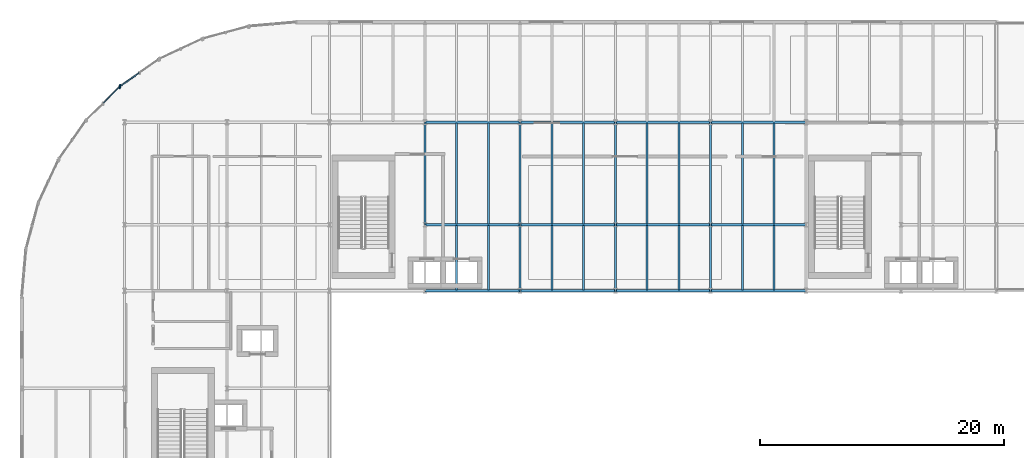
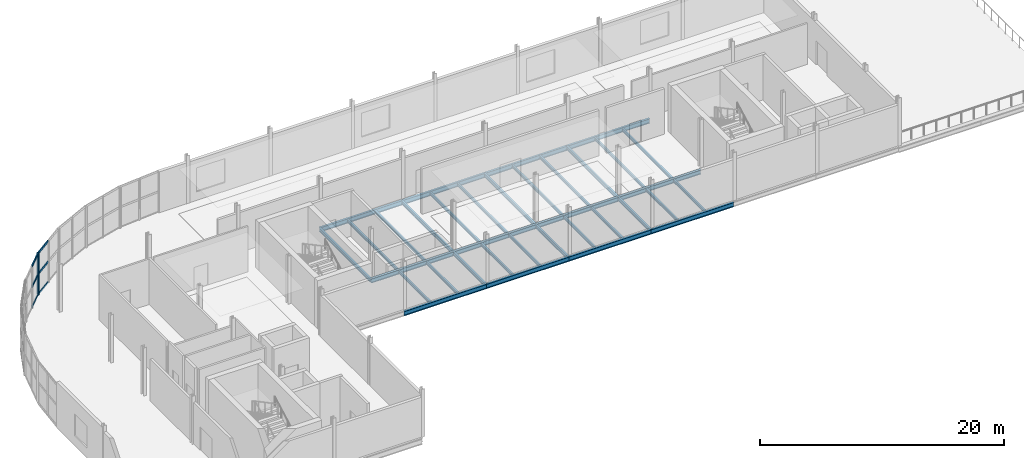
# One storey, part 6 of 15: 35 beams, 8 members, 2 elements without a shape of their own.
"""IFC4 building model written with IfcOpenShell, lengths in metres."""

from ifc_helpers import new_model, si_unit, direction, frame, origin, origin_2d, place, context, subcontext, project, spatial, rectangle, i_section, extrude, material, layer, layer_set, material_profile, profile_set, type_object, element, aggregate, save


model = new_model("IFC4")

# Units and contexts
model_context = context("Model", 3, precision=1e-05, world=origin(), true_north=direction((0.0, 1.0)))
body_context = subcontext(model_context, "Body", "Model", "MODEL_VIEW")
ifc_project = project(units=[si_unit("LENGTHUNIT", "METRE"), si_unit("AREAUNIT", "SQUARE_METRE"), si_unit("VOLUMEUNIT", "CUBIC_METRE"), si_unit("PLANEANGLEUNIT", "RADIAN"), si_unit("MASSUNIT", "GRAM", prefix="KILO")], contexts=[model_context])

# Site, building, storey
site_placement = place(None, origin())
site = spatial("IfcSite", under=ifc_project, at=site_placement, CompositionType="ELEMENT")
building_placement = place(site_placement, origin())
building = spatial("IfcBuilding", under=site, at=building_placement, Name="Sefraquen Railside Congress Hotel", CompositionType="ELEMENT")
storey_placement = place(building_placement, frame((0.0, 0.0, 46.800048828125)))
storey = spatial("IfcBuildingStorey", under=building, at=storey_placement, Name="L11", CompositionType="ELEMENT", Elevation=46.800048828125)

# Beams
ifc_material_1 = material(Name="Steel S355JR", Category="steel")
ifc_material_profile_1 = material_profile(ifc_material_1, i_section(OverallWidth=0.169921875, OverallDepth=0.360107421875, WebThickness=0.008056640625, FlangeThickness=0.0126953125, FilletRadius=0.01806640625, at=origin_2d()), Name="IPE 360")
ifc_profile_set_1 = profile_set([ifc_material_profile_1], Name="Steel S355JR")
beam_type_1 = type_object("IfcBeamType", Name="TB-BM-360", PredefinedType="BEAM", material=ifc_profile_set_1)
beam_1_placement = place(storey_placement, frame((33.0, 101.39990234375, -0.43994140625), z_axis=(0.0, 1.0, 0.0), x_axis=(-1.0, 0.0, 0.0)))
element("IfcBeam", 1, at=beam_1_placement, inside=storey, type_object=beam_type_1, Name="Floor beam BM-L11-2209", PredefinedType="BEAM", context=body_context, shape_type="SweptSolid", body=[
    extrude(i_section(OverallWidth=0.169921875, OverallDepth=0.360107421875, WebThickness=0.008056640625, FlangeThickness=0.0126953125, FilletRadius=0.01806640625, at=origin_2d()), origin(), (0.0, 0.0, 1.0), 8.400146484375),
])
beam_2_placement = place(storey_placement, frame((40.800048828125, 96.0, -0.43994140625), z_axis=(0.0, 1.0, 0.0), x_axis=(-1.0, 0.0, 0.0)))
element("IfcBeam", 2, at=beam_2_placement, inside=storey, type_object=beam_type_1, Name="Floor beam BM-L11-2211", PredefinedType="BEAM", context=body_context, shape_type="SweptSolid", body=[
    extrude(i_section(OverallWidth=0.169921875, OverallDepth=0.360107421875, WebThickness=0.008056640625, FlangeThickness=0.0126953125, FilletRadius=0.01806640625, at=origin_2d()), origin(), (0.0, 0.0, 1.0), 5.39990234375),
])
beam_3_placement = place(storey_placement, frame((40.800048828125, 101.39990234375, -0.43994140625), z_axis=(0.0, 1.0, 0.0), x_axis=(-1.0, 0.0, 0.0)))
element("IfcBeam", 3, at=beam_3_placement, inside=storey, type_object=beam_type_1, Name="Floor beam BM-L11-2212", PredefinedType="BEAM", context=body_context, shape_type="SweptSolid", body=[
    extrude(i_section(OverallWidth=0.169921875, OverallDepth=0.360107421875, WebThickness=0.008056640625, FlangeThickness=0.0126953125, FilletRadius=0.01806640625, at=origin_2d()), origin(), (0.0, 0.0, 1.0), 8.400146484375),
])
beam_4_placement = place(storey_placement, frame((48.60009765625, 96.0, -0.43994140625), z_axis=(0.0, 1.0, 0.0), x_axis=(-1.0, 0.0, 0.0)))
element("IfcBeam", 4, at=beam_4_placement, inside=storey, type_object=beam_type_1, Name="Floor beam BM-L11-2214", PredefinedType="BEAM", context=body_context, shape_type="SweptSolid", body=[
    extrude(i_section(OverallWidth=0.169921875, OverallDepth=0.360107421875, WebThickness=0.008056640625, FlangeThickness=0.0126953125, FilletRadius=0.01806640625, at=origin_2d()), origin(), (0.0, 0.0, 1.0), 5.39990234375),
])
beam_5_placement = place(storey_placement, frame((48.60009765625, 101.39990234375, -0.43994140625), z_axis=(0.0, 1.0, 0.0), x_axis=(-1.0, 0.0, 0.0)))
element("IfcBeam", 5, at=beam_5_placement, inside=storey, type_object=beam_type_1, Name="Floor beam BM-L11-2215", PredefinedType="BEAM", context=body_context, shape_type="SweptSolid", body=[
    extrude(i_section(OverallWidth=0.169921875, OverallDepth=0.360107421875, WebThickness=0.008056640625, FlangeThickness=0.0126953125, FilletRadius=0.01806640625, at=origin_2d()), origin(), (0.0, 0.0, 1.0), 8.400146484375),
])
beam_6_placement = place(storey_placement, frame((56.39990234375, 96.0, -0.43994140625), z_axis=(0.0, 1.0, 0.0), x_axis=(-1.0, 0.0, 0.0)))
element("IfcBeam", 6, at=beam_6_placement, inside=storey, type_object=beam_type_1, Name="Floor beam BM-L11-2217", PredefinedType="BEAM", context=body_context, shape_type="SweptSolid", body=[
    extrude(i_section(OverallWidth=0.169921875, OverallDepth=0.360107421875, WebThickness=0.008056640625, FlangeThickness=0.0126953125, FilletRadius=0.01806640625, at=origin_2d()), origin(), (0.0, 0.0, 1.0), 5.39990234375),
])
beam_7_placement = place(storey_placement, frame((56.39990234375, 101.39990234375, -0.43994140625), z_axis=(0.0, 1.0, 0.0), x_axis=(-1.0, 0.0, 0.0)))
element("IfcBeam", 7, at=beam_7_placement, inside=storey, type_object=beam_type_1, Name="Floor beam BM-L11-2218", PredefinedType="BEAM", context=body_context, shape_type="SweptSolid", body=[
    extrude(i_section(OverallWidth=0.169921875, OverallDepth=0.360107421875, WebThickness=0.008056640625, FlangeThickness=0.0126953125, FilletRadius=0.01806640625, at=origin_2d()), origin(), (0.0, 0.0, 1.0), 8.400146484375),
])
ifc_material_profile_2 = material_profile(ifc_material_1, i_section(OverallWidth=0.18994140625, OverallDepth=0.449951171875, WebThickness=0.009521484375, FlangeThickness=0.0146484375, FilletRadius=0.02099609375, at=origin_2d()), Name="IPE 450")
ifc_profile_set_2 = profile_set([ifc_material_profile_2], Name="Steel S355JR")
beam_type_2 = type_object("IfcBeamType", Name="TB-BM-450", PredefinedType="BEAM", material=ifc_profile_set_2)
for number, where, z_axis, x_axis, name in (
    (8, (33.0, 96.0, -0.485107421875), (1.0, 0.0, 0.0), (0.0, 1.0, 0.0), "Primary girder BM-L11-2157"),
    (9, (40.800048828125, 96.0, -0.485107421875), (1.0, 0.0, 0.0), (0.0, 1.0, 0.0), "Primary girder BM-L11-2158"),
):
    element("IfcBeam", number, at=place(storey_placement, frame(where, z_axis=z_axis, x_axis=x_axis)), inside=storey, type_object=beam_type_2, Name=name, PredefinedType="BEAM", context=body_context, shape_type="SweptSolid", body=[
        extrude(i_section(OverallWidth=0.18994140625, OverallDepth=0.449951171875, WebThickness=0.009521484375, FlangeThickness=0.0146484375, FilletRadius=0.02099609375, at=origin_2d()), origin(), (0.0, 0.0, 1.0), 7.800048828125),
    ])
beam_8_placement = place(storey_placement, frame((48.60009765625, 96.0, -0.485107421875), z_axis=(1.0, 0.0, 0.0), x_axis=(0.0, 1.0, 0.0)))
element("IfcBeam", 10, at=beam_8_placement, inside=storey, type_object=beam_type_2, Name="Primary girder BM-L11-2159", PredefinedType="BEAM", context=body_context, shape_type="SweptSolid", body=[
    extrude(i_section(OverallWidth=0.18994140625, OverallDepth=0.449951171875, WebThickness=0.009521484375, FlangeThickness=0.0146484375, FilletRadius=0.02099609375, at=origin_2d()), origin(), (0.0, 0.0, 1.0), 7.7998046875),
])
for number, where, z_axis, x_axis, name in (
    (11, (56.39990234375, 96.0, -0.485107421875), (1.0, 0.0, 0.0), (0.0, 1.0, 0.0), "Primary girder BM-L11-2160"),
    (12, (33.0, 101.39990234375, -0.485107421875), (1.0, 0.0, 0.0), (0.0, 1.0, 0.0), "Primary girder BM-L11-2167"),
    (13, (40.800048828125, 101.39990234375, -0.485107421875), (1.0, 0.0, 0.0), (0.0, 1.0, 0.0), "Primary girder BM-L11-2168"),
):
    element("IfcBeam", number, at=place(storey_placement, frame(where, z_axis=z_axis, x_axis=x_axis)), inside=storey, type_object=beam_type_2, Name=name, PredefinedType="BEAM", context=body_context, shape_type="SweptSolid", body=[
        extrude(i_section(OverallWidth=0.18994140625, OverallDepth=0.449951171875, WebThickness=0.009521484375, FlangeThickness=0.0146484375, FilletRadius=0.02099609375, at=origin_2d()), origin(), (0.0, 0.0, 1.0), 7.800048828125),
    ])
beam_9_placement = place(storey_placement, frame((48.60009765625, 101.39990234375, -0.485107421875), z_axis=(1.0, 0.0, 0.0), x_axis=(0.0, 1.0, 0.0)))
element("IfcBeam", 14, at=beam_9_placement, inside=storey, type_object=beam_type_2, Name="Primary girder BM-L11-2169", PredefinedType="BEAM", context=body_context, shape_type="SweptSolid", body=[
    extrude(i_section(OverallWidth=0.18994140625, OverallDepth=0.449951171875, WebThickness=0.009521484375, FlangeThickness=0.0146484375, FilletRadius=0.02099609375, at=origin_2d()), origin(), (0.0, 0.0, 1.0), 7.7998046875),
])
for number, where, z_axis, x_axis, name in (
    (15, (56.39990234375, 101.39990234375, -0.485107421875), (1.0, 0.0, 0.0), (0.0, 1.0, 0.0), "Primary girder BM-L11-2170"),
    (16, (33.0, 109.800048828125, -0.485107421875), (1.0, 0.0, 0.0), (0.0, 1.0, 0.0), "Primary girder BM-L11-2177"),
    (17, (40.800048828125, 109.800048828125, -0.485107421875), (1.0, 0.0, 0.0), (0.0, 1.0, 0.0), "Primary girder BM-L11-2178"),
):
    element("IfcBeam", number, at=place(storey_placement, frame(where, z_axis=z_axis, x_axis=x_axis)), inside=storey, type_object=beam_type_2, Name=name, PredefinedType="BEAM", context=body_context, shape_type="SweptSolid", body=[
        extrude(i_section(OverallWidth=0.18994140625, OverallDepth=0.449951171875, WebThickness=0.009521484375, FlangeThickness=0.0146484375, FilletRadius=0.02099609375, at=origin_2d()), origin(), (0.0, 0.0, 1.0), 7.800048828125),
    ])
beam_10_placement = place(storey_placement, frame((48.60009765625, 109.800048828125, -0.485107421875), z_axis=(1.0, 0.0, 0.0), x_axis=(0.0, 1.0, 0.0)))
element("IfcBeam", 18, at=beam_10_placement, inside=storey, type_object=beam_type_2, Name="Primary girder BM-L11-2179", PredefinedType="BEAM", context=body_context, shape_type="SweptSolid", body=[
    extrude(i_section(OverallWidth=0.18994140625, OverallDepth=0.449951171875, WebThickness=0.009521484375, FlangeThickness=0.0146484375, FilletRadius=0.02099609375, at=origin_2d()), origin(), (0.0, 0.0, 1.0), 7.7998046875),
])
beam_11_placement = place(storey_placement, frame((56.39990234375, 109.800048828125, -0.485107421875), z_axis=(1.0, 0.0, 0.0), x_axis=(0.0, 1.0, 0.0)))
element("IfcBeam", 19, at=beam_11_placement, inside=storey, type_object=beam_type_2, Name="Primary girder BM-L11-2180", PredefinedType="BEAM", context=body_context, shape_type="SweptSolid", body=[
    extrude(i_section(OverallWidth=0.18994140625, OverallDepth=0.449951171875, WebThickness=0.009521484375, FlangeThickness=0.0146484375, FilletRadius=0.02099609375, at=origin_2d()), origin(), (0.0, 0.0, 1.0), 7.800048828125),
])
ifc_material_profile_3 = material_profile(ifc_material_1, i_section(OverallWidth=0.14990234375, OverallDepth=0.300048828125, WebThickness=0.007080078125, FlangeThickness=0.0107421875, FilletRadius=0.014892578125, at=origin_2d()), Name="IPE 300")
ifc_profile_set_3 = profile_set([ifc_material_profile_3], Name="Steel S355JR")
beam_type_3 = type_object("IfcBeamType", Name="TB-JST-300", PredefinedType="JOIST", material=ifc_profile_set_3)
for number, where, z_axis, x_axis, name in (
    (20, (35.60009765625, 96.074951171875, -0.41015625), (0.0, 1.0, 0.0), (-1.0, 0.0, 0.0), "Composite floor joist BM-L11-J1484"),
    (21, (38.199951171875, 96.074951171875, -0.41015625), (0.0, 1.0, 0.0), (-1.0, 0.0, 0.0), "Composite floor joist BM-L11-J1485"),
):
    element("IfcBeam", number, at=place(storey_placement, frame(where, z_axis=z_axis, x_axis=x_axis)), inside=storey, type_object=beam_type_3, Name=name, PredefinedType="JOIST", context=body_context, shape_type="SweptSolid", body=[
        extrude(i_section(OverallWidth=0.14990234375, OverallDepth=0.300048828125, WebThickness=0.007080078125, FlangeThickness=0.0107421875, FilletRadius=0.014892578125, at=origin_2d()), origin(), (0.0, 0.0, 1.0), 5.25),
    ])
for number, where, z_axis, x_axis, name in (
    (22, (35.60009765625, 101.47509765625, -0.41015625), (0.0, 1.0, 0.0), (-1.0, 0.0, 0.0), "Composite floor joist BM-L11-J1486"),
    (23, (38.199951171875, 101.47509765625, -0.41015625), (0.0, 1.0, 0.0), (-1.0, 0.0, 0.0), "Composite floor joist BM-L11-J1487"),
):
    element("IfcBeam", number, at=place(storey_placement, frame(where, z_axis=z_axis, x_axis=x_axis)), inside=storey, type_object=beam_type_3, Name=name, PredefinedType="JOIST", context=body_context, shape_type="SweptSolid", body=[
        extrude(i_section(OverallWidth=0.14990234375, OverallDepth=0.300048828125, WebThickness=0.007080078125, FlangeThickness=0.0107421875, FilletRadius=0.014892578125, at=origin_2d()), origin(), (0.0, 0.0, 1.0), 8.25),
    ])
for number, where, z_axis, x_axis, name in (
    (24, (43.39990234375, 96.074951171875, -0.41015625), (0.0, 1.0, 0.0), (-1.0, 0.0, 0.0), "Composite floor joist BM-L11-J1490"),
    (25, (46.0, 96.074951171875, -0.41015625), (0.0, 1.0, 0.0), (-1.0, 0.0, 0.0), "Composite floor joist BM-L11-J1491"),
):
    element("IfcBeam", number, at=place(storey_placement, frame(where, z_axis=z_axis, x_axis=x_axis)), inside=storey, type_object=beam_type_3, Name=name, PredefinedType="JOIST", context=body_context, shape_type="SweptSolid", body=[
        extrude(i_section(OverallWidth=0.14990234375, OverallDepth=0.300048828125, WebThickness=0.007080078125, FlangeThickness=0.0107421875, FilletRadius=0.014892578125, at=origin_2d()), origin(), (0.0, 0.0, 1.0), 5.25),
    ])
for number, where, z_axis, x_axis, name in (
    (26, (43.39990234375, 101.47509765625, -0.41015625), (0.0, 1.0, 0.0), (-1.0, 0.0, 0.0), "Composite floor joist BM-L11-J1492"),
    (27, (46.0, 101.47509765625, -0.41015625), (0.0, 1.0, 0.0), (-1.0, 0.0, 0.0), "Composite floor joist BM-L11-J1493"),
):
    element("IfcBeam", number, at=place(storey_placement, frame(where, z_axis=z_axis, x_axis=x_axis)), inside=storey, type_object=beam_type_3, Name=name, PredefinedType="JOIST", context=body_context, shape_type="SweptSolid", body=[
        extrude(i_section(OverallWidth=0.14990234375, OverallDepth=0.300048828125, WebThickness=0.007080078125, FlangeThickness=0.0107421875, FilletRadius=0.014892578125, at=origin_2d()), origin(), (0.0, 0.0, 1.0), 8.25),
    ])
for number, where, z_axis, x_axis, name in (
    (28, (51.199951171875, 96.074951171875, -0.41015625), (0.0, 1.0, 0.0), (-1.0, 0.0, 0.0), "Composite floor joist BM-L11-J1496"),
    (29, (53.800048828125, 96.074951171875, -0.41015625), (0.0, 1.0, 0.0), (-1.0, 0.0, 0.0), "Composite floor joist BM-L11-J1497"),
):
    element("IfcBeam", number, at=place(storey_placement, frame(where, z_axis=z_axis, x_axis=x_axis)), inside=storey, type_object=beam_type_3, Name=name, PredefinedType="JOIST", context=body_context, shape_type="SweptSolid", body=[
        extrude(i_section(OverallWidth=0.14990234375, OverallDepth=0.300048828125, WebThickness=0.007080078125, FlangeThickness=0.0107421875, FilletRadius=0.014892578125, at=origin_2d()), origin(), (0.0, 0.0, 1.0), 5.25),
    ])
for number, where, z_axis, x_axis, name in (
    (30, (51.199951171875, 101.47509765625, -0.41015625), (0.0, 1.0, 0.0), (-1.0, 0.0, 0.0), "Composite floor joist BM-L11-J1498"),
    (31, (53.800048828125, 101.47509765625, -0.41015625), (0.0, 1.0, 0.0), (-1.0, 0.0, 0.0), "Composite floor joist BM-L11-J1499"),
):
    element("IfcBeam", number, at=place(storey_placement, frame(where, z_axis=z_axis, x_axis=x_axis)), inside=storey, type_object=beam_type_3, Name=name, PredefinedType="JOIST", context=body_context, shape_type="SweptSolid", body=[
        extrude(i_section(OverallWidth=0.14990234375, OverallDepth=0.300048828125, WebThickness=0.007080078125, FlangeThickness=0.0107421875, FilletRadius=0.014892578125, at=origin_2d()), origin(), (0.0, 0.0, 1.0), 8.25),
    ])
for number, where, z_axis, x_axis, name in (
    (32, (59.0, 96.074951171875, -0.41015625), (0.0, 1.0, 0.0), (-1.0, 0.0, 0.0), "Composite floor joist BM-L11-J1502"),
    (33, (61.60009765625, 96.074951171875, -0.41015625), (0.0, 1.0, 0.0), (-1.0, 0.0, 0.0), "Composite floor joist BM-L11-J1503"),
):
    element("IfcBeam", number, at=place(storey_placement, frame(where, z_axis=z_axis, x_axis=x_axis)), inside=storey, type_object=beam_type_3, Name=name, PredefinedType="JOIST", context=body_context, shape_type="SweptSolid", body=[
        extrude(i_section(OverallWidth=0.14990234375, OverallDepth=0.300048828125, WebThickness=0.007080078125, FlangeThickness=0.0107421875, FilletRadius=0.014892578125, at=origin_2d()), origin(), (0.0, 0.0, 1.0), 5.25),
    ])
for number, where, z_axis, x_axis, name in (
    (34, (59.0, 101.47509765625, -0.41015625), (0.0, 1.0, 0.0), (-1.0, 0.0, 0.0), "Composite floor joist BM-L11-J1504"),
    (35, (61.60009765625, 101.47509765625, -0.41015625), (0.0, 1.0, 0.0), (-1.0, 0.0, 0.0), "Composite floor joist BM-L11-J1505"),
):
    element("IfcBeam", number, at=place(storey_placement, frame(where, z_axis=z_axis, x_axis=x_axis)), inside=storey, type_object=beam_type_3, Name=name, PredefinedType="JOIST", context=body_context, shape_type="SweptSolid", body=[
        extrude(i_section(OverallWidth=0.14990234375, OverallDepth=0.300048828125, WebThickness=0.007080078125, FlangeThickness=0.0107421875, FilletRadius=0.014892578125, at=origin_2d()), origin(), (0.0, 0.0, 1.0), 8.25),
    ])

# Curtain wall, member
ifc_material_2 = material(Name="Thermally broken anodised aluminium and low-E double glazing", Category="aluminium")
ifc_layer_1 = layer(ifc_material_2, 0.199951171875)
ifc_layer_set_1 = layer_set([ifc_layer_1], Name="Thermally broken anodised aluminium and low-E double glazing")
curtain_wall_type_1 = type_object("IfcCurtainWallType", Name="TCW-UCW-07", PredefinedType="USERDEFINED", material=ifc_layer_set_1)
curtain_wall_1_placement = place(storey_placement, origin())
curtain_wall_1 = element("IfcCurtainWall", 36, at=curtain_wall_1_placement, inside=storey, type_object=curtain_wall_type_1, Name="Rotunda L11 curved curtain wall facet 4", ObjectType="UNITISED CURTAIN WALL", PredefinedType="USERDEFINED")
ifc_material_3 = material(Name="Thermally broken anodised aluminium 6063-T6", Category="aluminium")
ifc_material_profile_4 = material_profile(ifc_material_3, rectangle(XDim=0.094970703125, YDim=0.300048828125, at=origin_2d()), Name="CWM 95x300")
ifc_profile_set_4 = profile_set([ifc_material_profile_4], Name="Thermally broken anodised aluminium 6063-T6")
member_type_1 = type_object("IfcMemberType", Name="TM-CWM-08", PredefinedType="MULLION", material=ifc_profile_set_4)
member_1_placement = place(storey_placement, frame((8.070068359375, 112.7587890625, 0.0), z_axis=(0.0, 0.0, 1.0), x_axis=(1.0, 0.0, 0.0)))
member_1 = element("IfcMember", 37, at=member_1_placement, type_object=member_type_1, Name="CW-L11-ROT-04 mullion 3", PredefinedType="MULLION", context=body_context, shape_type="SweptSolid", body=[
    extrude(rectangle(XDim=0.094970703125, YDim=0.300048828125, at=origin_2d()), origin(), (0.0, 0.0, 1.0), 4.08984375),
])

ifc_layer_2 = layer(ifc_material_2, 0.199951171875)
ifc_layer_set_2 = layer_set([ifc_layer_2], Name="Thermally broken anodised aluminium and low-E double glazing")
curtain_wall_type_2 = type_object("IfcCurtainWallType", Name="TCW-UCW-08", PredefinedType="USERDEFINED", material=ifc_layer_set_2)
curtain_wall_2_placement = place(storey_placement, origin())
curtain_wall_2 = element("IfcCurtainWall", 38, at=curtain_wall_2_placement, inside=storey, type_object=curtain_wall_type_2, Name="Rotunda L11 curved curtain wall facet 5", ObjectType="UNITISED CURTAIN WALL", PredefinedType="USERDEFINED")
member_2_placement = place(storey_placement, frame((8.009033203125, 112.707763671875, 0.0), z_axis=(0.0, 0.0, 1.0), x_axis=(1.0, 0.0, 0.0)))
member_2 = element("IfcMember", 39, at=member_2_placement, type_object=member_type_1, Name="CW-L11-ROT-05 mullion 1", PredefinedType="MULLION", context=body_context, shape_type="SweptSolid", body=[
    extrude(rectangle(XDim=0.094970703125, YDim=0.300048828125, at=origin_2d()), origin(), (0.0, 0.0, 1.0), 4.08984375),
])

# Member
ifc_material_profile_5 = material_profile(ifc_material_3, rectangle(XDim=0.090087890625, YDim=0.2099609375, at=origin_2d()), Name="CWT 90x210")
ifc_profile_set_5 = profile_set([ifc_material_profile_5], Name="Thermally broken anodised aluminium 6063-T6")
member_type_2 = type_object("IfcMemberType", Name="TM-CWT-07", PredefinedType="USERDEFINED", material=ifc_profile_set_5)
member_3_placement = place(storey_placement, frame((9.606689453125, 113.8349609375, 0.0), z_axis=(-0.819175533227, -0.573542889209, 0.0), x_axis=(0.573542889209, -0.819175533227, 0.0)))
member_3 = element("IfcMember", 40, at=member_3_placement, type_object=member_type_2, Name="CW-L11-ROT-04 transom 1.2", ObjectType="TRANSOM", PredefinedType="USERDEFINED", context=body_context, shape_type="SweptSolid", body=[
    extrude(rectangle(XDim=0.090087890625, YDim=0.2099609375, at=origin_2d()), origin(), (0.0, 0.0, 1.0), 1.830810546875),
])

member_4_placement = place(storey_placement, frame((9.606689453125, 113.8349609375, 2.044921875), z_axis=(-0.819175533227, -0.573542889209, 0.0), x_axis=(0.573542889209, -0.819175533227, 0.0)))
member_4 = element("IfcMember", 41, at=member_4_placement, type_object=member_type_2, Name="CW-L11-ROT-04 transom 2.2", ObjectType="TRANSOM", PredefinedType="USERDEFINED", context=body_context, shape_type="SweptSolid", body=[
    extrude(rectangle(XDim=0.090087890625, YDim=0.2099609375, at=origin_2d()), origin(), (0.0, 0.0, 1.0), 1.830810546875),
])

member_5_placement = place(storey_placement, frame((9.606689453125, 113.8349609375, 4.08984375), z_axis=(-0.819175533227, -0.573542889209, 0.0), x_axis=(0.573542889209, -0.819175533227, 0.0)))
member_5 = element("IfcMember", 42, at=member_5_placement, type_object=member_type_2, Name="CW-L11-ROT-04 transom 3.2", ObjectType="TRANSOM", PredefinedType="USERDEFINED", context=body_context, shape_type="SweptSolid", body=[
    extrude(rectangle(XDim=0.090087890625, YDim=0.2099609375, at=origin_2d()), origin(), (0.0, 0.0, 1.0), 1.830810546875),
])

aggregate(curtain_wall_1, [member_1, member_3, member_4, member_5])

ifc_material_profile_6 = material_profile(ifc_material_3, rectangle(XDim=0.094970703125, YDim=0.22509765625, at=origin_2d()), Name="CWT 95x225")
ifc_profile_set_6 = profile_set([ifc_material_profile_6], Name="Thermally broken anodised aluminium 6063-T6")
member_type_3 = type_object("IfcMemberType", Name="TM-CWT-08", PredefinedType="USERDEFINED", material=ifc_profile_set_6)
member_6_placement = place(storey_placement, frame((7.977294921875, 112.67578125, 0.0), z_axis=(-0.707106781187, -0.707106781187, 0.0), x_axis=(0.707106781187, -0.707106781187, 0.0)))
member_6 = element("IfcMember", 43, at=member_6_placement, type_object=member_type_3, Name="CW-L11-ROT-05 transom 1.1", ObjectType="TRANSOM", PredefinedType="USERDEFINED", context=body_context, shape_type="SweptSolid", body=[
    extrude(rectangle(XDim=0.094970703125, YDim=0.22509765625, at=origin_2d()), origin(), (0.0, 0.0, 1.0), 1.8310546875),
])

member_7_placement = place(storey_placement, frame((7.977294921875, 112.67578125, 2.044921875), z_axis=(-0.707106781187, -0.707106781187, 0.0), x_axis=(0.707106781187, -0.707106781187, 0.0)))
member_7 = element("IfcMember", 44, at=member_7_placement, type_object=member_type_3, Name="CW-L11-ROT-05 transom 2.1", ObjectType="TRANSOM", PredefinedType="USERDEFINED", context=body_context, shape_type="SweptSolid", body=[
    extrude(rectangle(XDim=0.094970703125, YDim=0.22509765625, at=origin_2d()), origin(), (0.0, 0.0, 1.0), 1.8310546875),
])

member_8_placement = place(storey_placement, frame((7.977294921875, 112.67578125, 4.08984375), z_axis=(-0.707106781187, -0.707106781187, 0.0), x_axis=(0.707106781187, -0.707106781187, 0.0)))
member_8 = element("IfcMember", 45, at=member_8_placement, type_object=member_type_3, Name="CW-L11-ROT-05 transom 3.1", ObjectType="TRANSOM", PredefinedType="USERDEFINED", context=body_context, shape_type="SweptSolid", body=[
    extrude(rectangle(XDim=0.094970703125, YDim=0.22509765625, at=origin_2d()), origin(), (0.0, 0.0, 1.0), 1.8310546875),
])

aggregate(curtain_wall_2, [member_2, member_6, member_7, member_8])

save(model, "model.ifc")
